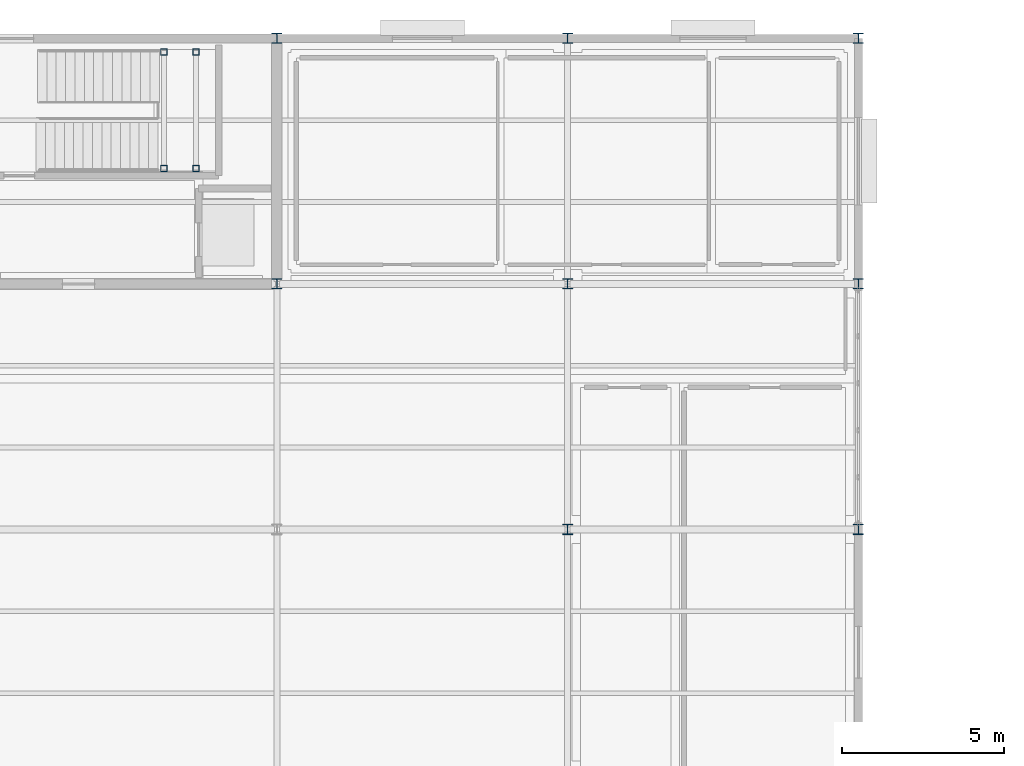
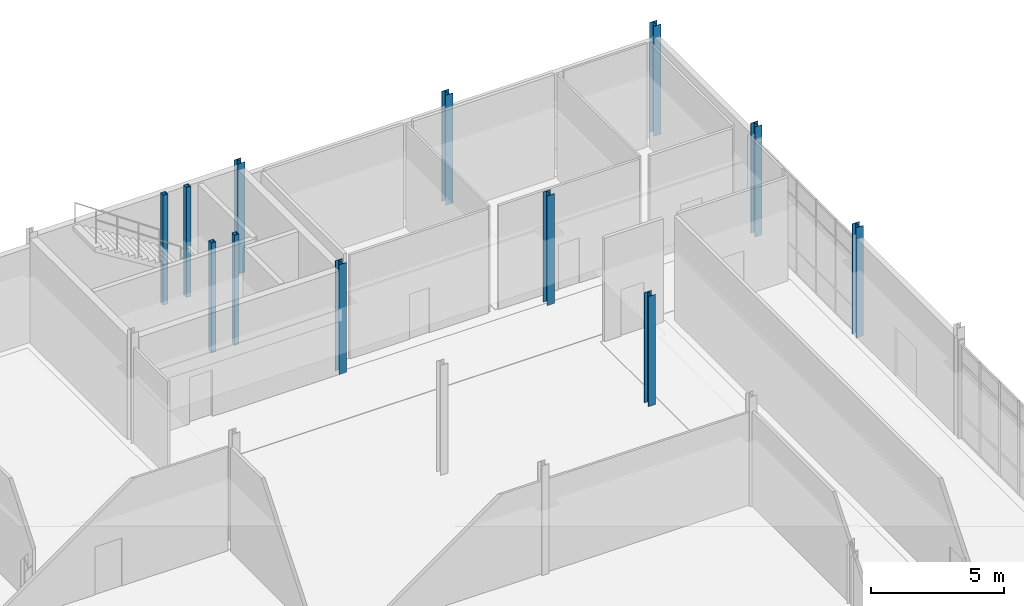
# One storey, part 30 of 161: 12 columns.
"""IFC4 building model written with IfcOpenShell, lengths in metres."""

from ifc_helpers import new_model, si_unit, direction, frame, origin, origin_2d, place, context, subcontext, project, spatial, hollow_rectangle, i_section, extrude, material, material_profile, profile_set, type_object, element, save


model = new_model("IFC4")

# Units and contexts
model_context = context("Model", 3, precision=1e-05, world=origin(), true_north=direction((0.0, 1.0)))
body_context = subcontext(model_context, "Body", "Model", "MODEL_VIEW")
ifc_project = project(units=[si_unit("LENGTHUNIT", "METRE"), si_unit("AREAUNIT", "SQUARE_METRE"), si_unit("VOLUMEUNIT", "CUBIC_METRE"), si_unit("PLANEANGLEUNIT", "RADIAN"), si_unit("MASSUNIT", "GRAM", prefix="KILO")], contexts=[model_context])

# Site, building, storey
site_placement = place(None, origin())
site = spatial("IfcSite", under=ifc_project, at=site_placement, CompositionType="ELEMENT")
building_placement = place(site_placement, origin())
building = spatial("IfcBuilding", under=site, at=building_placement, Name="Caisbarro Railhouse Central Library", CompositionType="ELEMENT")
storey_placement = place(building_placement, origin())
storey = spatial("IfcBuildingStorey", under=building, at=storey_placement, Name="L00", CompositionType="ELEMENT", Elevation=0.0)

# Columns
ifc_material = material(Name="Steel ASTM A572 Grade 50", Category="steel")
ifc_material_profile_1 = material_profile(ifc_material, i_section(OverallWidth=0.31201171875, OverallDepth=0.31201171875, WebThickness=0.017333984375, FlangeThickness=0.017333984375, FilletRadius=0.014892578125, at=origin_2d()), Name="HP310X125.0")
ifc_profile_set_1 = profile_set([ifc_material_profile_1], Name="Steel ASTM A572 Grade 50")
column_type_1 = type_object("IfcColumnType", Name="COL-C03", PredefinedType="COLUMN", material=ifc_profile_set_1)
for number, where, z_axis, x_axis, name in (
    (1, (135.0, 106.39990234375, 0.0), (0.0, 0.0, 1.0), (1.0, 0.0, 0.0), "C03 column L00 (135.0,106.4)"),
    (2, (135.0, 114.0, 0.0), (0.0, 0.0, 1.0), (1.0, 0.0, 0.0), "C03 column L00 (135.0,114.0)"),
    (3, (144.0, 98.800048828125, 0.0), (0.0, 0.0, 1.0), (1.0, 0.0, 0.0), "C03 column L00 (144.0,98.8)"),
    (4, (144.0, 106.39990234375, 0.0), (0.0, 0.0, 1.0), (1.0, 0.0, 0.0), "C03 column L00 (144.0,106.4)"),
    (5, (144.0, 114.0, 0.0), (0.0, 0.0, 1.0), (1.0, 0.0, 0.0), "C03 column L00 (144.0,114.0)"),
    (6, (153.0, 98.800048828125, 0.0), (0.0, 0.0, 1.0), (1.0, 0.0, 0.0), "C03 column L00 (153.0,98.8)"),
    (7, (153.0, 106.39990234375, 0.0), (0.0, 0.0, 1.0), (1.0, 0.0, 0.0), "C03 column L00 (153.0,106.4)"),
    (8, (153.0, 114.0, 0.0), (0.0, 0.0, 1.0), (1.0, 0.0, 0.0), "C03 column L00 (153.0,114.0)"),
):
    element("IfcColumn", number, at=place(storey_placement, frame(where, z_axis=z_axis, x_axis=x_axis)), inside=storey, type_object=column_type_1, Name=name, PredefinedType="COLUMN", context=body_context, shape_type="SweptSolid", body=[
        extrude(i_section(OverallWidth=0.31201171875, OverallDepth=0.31201171875, WebThickness=0.017333984375, FlangeThickness=0.017333984375, FilletRadius=0.014892578125, at=origin_2d()), origin(), (0.0, 0.0, 1.0), 5.0400390625),
    ])
ifc_material_profile_2 = material_profile(ifc_material, hollow_rectangle(XDim=0.199951171875, YDim=0.199951171875, WallThickness=0.012451171875, at=origin_2d()), Name="HSS200X200X12.5")
ifc_profile_set_2 = profile_set([ifc_material_profile_2], Name="Steel ASTM A572 Grade 50")
column_type_2 = type_object("IfcColumnType", Name="COL-C10", PredefinedType="COLUMN", material=ifc_profile_set_2)
for number, where, z_axis, x_axis, name in (
    (9, (131.5, 109.969970703125, 0.0), (0.0, 0.0, 1.0), (1.0, 0.0, 0.0), "C10 Stair Landing Post K3 L00.1"),
    (10, (131.5, 113.580078125, 0.0), (0.0, 0.0, 1.0), (1.0, 0.0, 0.0), "C10 Stair Landing Post K3 L00.2"),
    (11, (132.5, 109.969970703125, 0.0), (0.0, 0.0, 1.0), (1.0, 0.0, 0.0), "C10 Stair Landing Post K3 L00.3"),
    (12, (132.5, 113.580078125, 0.0), (0.0, 0.0, 1.0), (1.0, 0.0, 0.0), "C10 Stair Landing Post K3 L00.4"),
):
    element("IfcColumn", number, at=place(storey_placement, frame(where, z_axis=z_axis, x_axis=x_axis)), inside=storey, type_object=column_type_2, Name=name, PredefinedType="COLUMN", context=body_context, shape_type="SweptSolid", body=[
        extrude(hollow_rectangle(XDim=0.199951171875, YDim=0.199951171875, WallThickness=0.012451171875, at=origin_2d()), origin(), (0.0, 0.0, 1.0), 5.0400390625),
    ])

save(model, "model.ifc")
